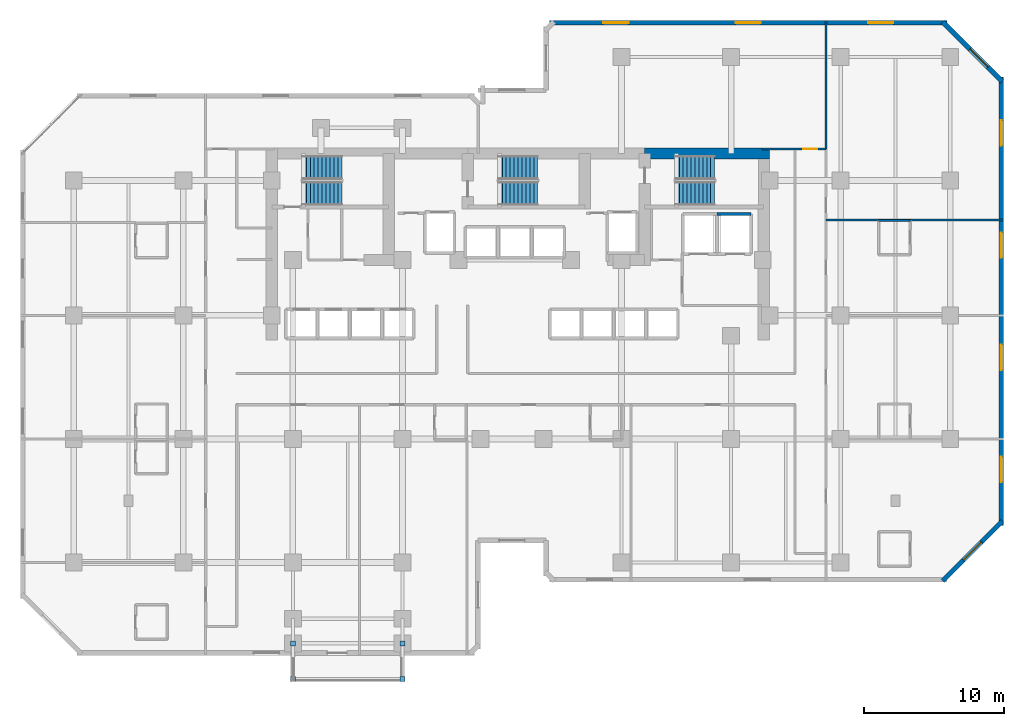
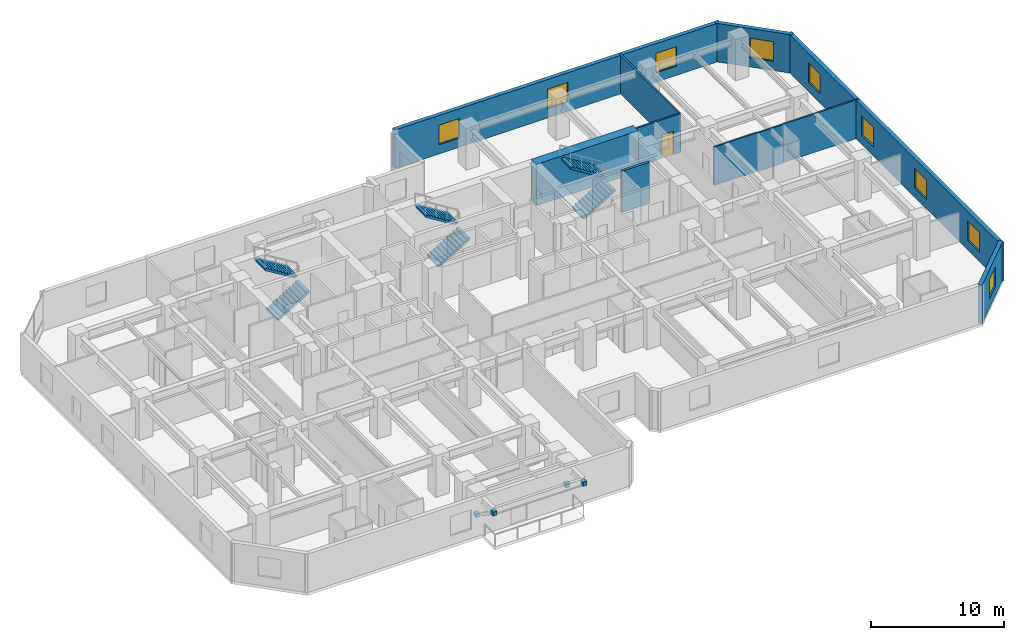
# One storey, part 10 of 12: 11 walls, 9 windows, 6 stair flights, 4 discrete accessories, 1 door, 10 openings, 3 elements without a shape of their own.
"""IFC4 building model written with IfcOpenShell, lengths in metres."""

from ifc_helpers import new_model, si_unit, direction, frame, frame_2d, origin, origin_2d, place, context, subcontext, project, spatial, polyline, rectangle, outline, extrude, material, layer, layer_set, type_object, element, fill, aggregate, save


model = new_model("IFC4")

# Units and contexts
model_context = context("Model", 3, precision=1e-05, world=origin(), true_north=direction((0.0, 1.0)))
body_context = subcontext(model_context, "Body", "Model", "MODEL_VIEW")
ifc_project = project(units=[si_unit("LENGTHUNIT", "METRE"), si_unit("AREAUNIT", "SQUARE_METRE"), si_unit("VOLUMEUNIT", "CUBIC_METRE"), si_unit("PLANEANGLEUNIT", "RADIAN"), si_unit("MASSUNIT", "GRAM", prefix="KILO")], contexts=[model_context])

# Site, building, storey
site_placement = place(None, origin())
site = spatial("IfcSite", under=ifc_project, at=site_placement, CompositionType="ELEMENT")
building_placement = place(site_placement, origin())
building = spatial("IfcBuilding", under=site, at=building_placement, Name="Kestravale Grand Hotel", CompositionType="ELEMENT")
storey_placement = place(building_placement, frame((0.0, 0.0, 99.39990234375)))
storey = spatial("IfcBuildingStorey", under=building, at=storey_placement, Name="L24", CompositionType="ELEMENT", Elevation=99.39990234375)

# Wall
ifc_material_1 = material(Name="Concrete f'c 60 MPa", Category="concrete")
ifc_layer_1 = layer(ifc_material_1, 0.800048828125)
ifc_layer_set_1 = layer_set([ifc_layer_1], Name="EW-CORE-800")
wall_type_1 = type_object("IfcWallType", Name="EW-CORE-800", PredefinedType="SHEAR", material=ifc_layer_set_1)
wall_1_placement = place(storey_placement, frame((48.449951171875, 40.320068359375, 0.0), z_axis=(0.0, 0.0, 1.0), x_axis=(1.0, 0.0, 0.0)))
element("IfcWall", 1, at=wall_1_placement, inside=storey, type_object=wall_type_1, Name="L24 core shear wall N3", PredefinedType="SHEAR", context=body_context, shape_type="SweptSolid", body=[
    extrude(rectangle(XDim=8.8701171875, YDim=0.800048828125, at=frame_2d((4.43505859375, 0.0))), origin(), (0.0, 0.0, 1.0), 3.800048828125),
])

# Wall, opening, window
ifc_material_2 = material(Name="Precast concrete f'c 45 MPa", Category="concrete")
ifc_layer_2 = layer(ifc_material_2, 0.340087890625)
ifc_layer_set_2 = layer_set([ifc_layer_2], Name="EW-PREC-340")
wall_type_2 = type_object("IfcWallType", Name="EW-PREC-340", PredefinedType="SOLIDWALL", material=ifc_layer_set_2)
wall_2_placement = place(storey_placement, frame((69.651611328125, 9.891845703125, 0.0), z_axis=(0.0, 0.0, 1.0), x_axis=(0.707106781187, 0.707106781187, 0.0)))
wall_2 = element("IfcWall", 2, at=wall_2_placement, inside=storey, type_object=wall_type_2, Name="L24 fluted precast facade wall 8", PredefinedType="SOLIDWALL", context=body_context, shape_type="SweptSolid", body=[
    extrude(rectangle(XDim=6.019775390625, YDim=0.340087890625, at=frame_2d((3.009765625, 0.0))), origin(), (0.0, 0.0, 1.0), 3.5400390625),
])
opening_1_placement = place(wall_2_placement, frame((2.10986328125, 0.0, 0.85009765625)))
opening_1 = element("IfcOpeningElement", 3, at=opening_1_placement, cuts=wall_2, Name="Opening W-GUEST-1800", PredefinedType="OPENING", context=body_context, shape_type="SweptSolid", body=[
    extrude(rectangle(XDim=1.800048828125, YDim=1.800048828125, at=frame_2d((0.89990234375, 0.89990234375))), frame((0.0, 0.179931640625, 0.0), z_axis=(0.0, -1.0, 0.0), x_axis=(1.0, 0.0, 0.0)), (0.0, 0.0, 1.0), 0.360107421875),
])
ifc_material_3 = material(Name="Insulated low-E double glazing in aluminium frame", Category="aluminium")
window_type = type_object("IfcWindowType", Name="W-GUEST-1800", PartitioningType="DOUBLE_PANEL_VERTICAL", PredefinedType="WINDOW", material=ifc_material_3)
window_1_placement = place(opening_1_placement, origin())
window_1 = element("IfcWindow", 4, at=window_1_placement, inside=storey, type_object=window_type, Name="L24 exterior window 8.1", OverallHeight=1.800048828125, OverallWidth=1.800048828125, PartitioningType="SINGLE_PANEL", PredefinedType="WINDOW", context=body_context, shape_type="SweptSolid", body=[
    extrude(rectangle(XDim=1.800048828125, YDim=1.800048828125, at=frame_2d((0.89990234375, 0.89990234375))), frame((0.0, 0.030029296875, 0.0), z_axis=(0.0, -1.0, 0.0), x_axis=(1.0, 0.0, 0.0)), (0.0, 0.0, 1.0), 0.06005859375),
])
fill(opening_1, window_1)

# Wall, openings, windows
wall_3_placement = place(storey_placement, frame((73.830078125, 13.830078125, 0.0), z_axis=(0.0, 0.0, 1.0), x_axis=(0.0, 1.0, 0.0)))
wall_3 = element("IfcWall", 5, at=wall_3_placement, inside=storey, type_object=wall_type_2, Name="L24 fluted precast facade wall 9", PredefinedType="SOLIDWALL", context=body_context, shape_type="SweptSolid", body=[
    extrude(rectangle(XDim=31.93994140625, YDim=0.340087890625, at=frame_2d((15.969970703125, 0.0))), origin(), (0.0, 0.0, 1.0), 3.5400390625),
])
opening_2_placement = place(wall_3_placement, frame((3.092529296875, 0.0, 0.85009765625)))
opening_2 = element("IfcOpeningElement", 6, at=opening_2_placement, cuts=wall_3, Name="Opening W-GUEST-1800", PredefinedType="OPENING", context=body_context, shape_type="SweptSolid", body=[
    extrude(rectangle(XDim=1.800048828125, YDim=1.800048828125, at=frame_2d((0.89990234375, 0.89990234375))), frame((0.0, 0.179931640625, 0.0), z_axis=(0.0, -1.0, 0.0), x_axis=(1.0, 0.0, 0.0)), (0.0, 0.0, 1.0), 0.360107421875),
])
opening_3_placement = place(wall_3_placement, frame((11.077392578125, 0.0, 0.85009765625)))
opening_3 = element("IfcOpeningElement", 7, at=opening_3_placement, cuts=wall_3, Name="Opening W-GUEST-1800", PredefinedType="OPENING", context=body_context, shape_type="SweptSolid", body=[
    extrude(rectangle(XDim=1.800048828125, YDim=1.800048828125, at=frame_2d((0.89990234375, 0.89990234375))), frame((0.0, 0.179931640625, 0.0), z_axis=(0.0, -1.0, 0.0), x_axis=(1.0, 0.0, 0.0)), (0.0, 0.0, 1.0), 0.360107421875),
])
opening_4_placement = place(wall_3_placement, frame((19.0625, 0.0, 0.85009765625)))
opening_4 = element("IfcOpeningElement", 8, at=opening_4_placement, cuts=wall_3, Name="Opening W-GUEST-1800", PredefinedType="OPENING", context=body_context, shape_type="SweptSolid", body=[
    extrude(rectangle(XDim=1.800048828125, YDim=1.800048828125, at=frame_2d((0.89990234375, 0.89990234375))), frame((0.0, 0.179931640625, 0.0), z_axis=(0.0, -1.0, 0.0), x_axis=(1.0, 0.0, 0.0)), (0.0, 0.0, 1.0), 0.360107421875),
])
opening_5_placement = place(wall_3_placement, frame((27.047607421875, 0.0, 0.85009765625)))
opening_5 = element("IfcOpeningElement", 9, at=opening_5_placement, cuts=wall_3, Name="Opening W-GUEST-1800", PredefinedType="OPENING", context=body_context, shape_type="SweptSolid", body=[
    extrude(rectangle(XDim=1.800048828125, YDim=1.800048828125, at=frame_2d((0.89990234375, 0.89990234375))), frame((0.0, 0.179931640625, 0.0), z_axis=(0.0, -1.0, 0.0), x_axis=(1.0, 0.0, 0.0)), (0.0, 0.0, 1.0), 0.360107421875),
])
window_2_placement = place(opening_2_placement, origin())
window_2 = element("IfcWindow", 10, at=window_2_placement, inside=storey, type_object=window_type, Name="L24 exterior window 9.1", OverallHeight=1.800048828125, OverallWidth=1.800048828125, PartitioningType="SINGLE_PANEL", PredefinedType="WINDOW", context=body_context, shape_type="SweptSolid", body=[
    extrude(rectangle(XDim=1.800048828125, YDim=1.800048828125, at=frame_2d((0.89990234375, 0.89990234375))), frame((0.0, 0.030029296875, 0.0), z_axis=(0.0, -1.0, 0.0), x_axis=(1.0, 0.0, 0.0)), (0.0, 0.0, 1.0), 0.06005859375),
])
fill(opening_2, window_2)
window_3_placement = place(opening_3_placement, origin())
window_3 = element("IfcWindow", 11, at=window_3_placement, inside=storey, type_object=window_type, Name="L24 exterior window 9.2", OverallHeight=1.800048828125, OverallWidth=1.800048828125, PartitioningType="SINGLE_PANEL", PredefinedType="WINDOW", context=body_context, shape_type="SweptSolid", body=[
    extrude(rectangle(XDim=1.800048828125, YDim=1.800048828125, at=frame_2d((0.89990234375, 0.89990234375))), frame((0.0, 0.030029296875, 0.0), z_axis=(0.0, -1.0, 0.0), x_axis=(1.0, 0.0, 0.0)), (0.0, 0.0, 1.0), 0.06005859375),
])
fill(opening_3, window_3)
window_4_placement = place(opening_4_placement, origin())
window_4 = element("IfcWindow", 12, at=window_4_placement, inside=storey, type_object=window_type, Name="L24 exterior window 9.3", OverallHeight=1.800048828125, OverallWidth=1.800048828125, PartitioningType="SINGLE_PANEL", PredefinedType="WINDOW", context=body_context, shape_type="SweptSolid", body=[
    extrude(rectangle(XDim=1.800048828125, YDim=1.800048828125, at=frame_2d((0.89990234375, 0.89990234375))), frame((0.0, 0.030029296875, 0.0), z_axis=(0.0, -1.0, 0.0), x_axis=(1.0, 0.0, 0.0)), (0.0, 0.0, 1.0), 0.06005859375),
])
fill(opening_4, window_4)
window_5_placement = place(opening_5_placement, origin())
window_5 = element("IfcWindow", 13, at=window_5_placement, inside=storey, type_object=window_type, Name="L24 exterior window 9.4", OverallHeight=1.800048828125, OverallWidth=1.800048828125, PartitioningType="SINGLE_PANEL", PredefinedType="WINDOW", context=body_context, shape_type="SweptSolid", body=[
    extrude(rectangle(XDim=1.800048828125, YDim=1.800048828125, at=frame_2d((0.89990234375, 0.89990234375))), frame((0.0, 0.030029296875, 0.0), z_axis=(0.0, -1.0, 0.0), x_axis=(1.0, 0.0, 0.0)), (0.0, 0.0, 1.0), 0.06005859375),
])
fill(opening_5, window_5)

# Wall, opening, window
wall_4_placement = place(storey_placement, frame((73.908203125, 45.451416015625, 0.0), z_axis=(0.0, 0.0, 1.0), x_axis=(-0.707106781187, 0.707106781187, 0.0)))
wall_4 = element("IfcWall", 14, at=wall_4_placement, inside=storey, type_object=wall_type_2, Name="L24 fluted precast facade wall 10", PredefinedType="SOLIDWALL", context=body_context, shape_type="SweptSolid", body=[
    extrude(rectangle(XDim=6.019775390625, YDim=0.340087890625, at=frame_2d((3.009765625, 0.0))), origin(), (0.0, 0.0, 1.0), 3.5400390625),
])
opening_6_placement = place(wall_4_placement, frame((1.4599609375, 0.0, 0.85009765625)))
opening_6 = element("IfcOpeningElement", 15, at=opening_6_placement, cuts=wall_4, Name="Opening W-GUEST-1800", PredefinedType="OPENING", context=body_context, shape_type="SweptSolid", body=[
    extrude(rectangle(XDim=1.800048828125, YDim=1.800048828125, at=frame_2d((0.89990234375, 0.89990234375))), frame((0.0, 0.179931640625, 0.0), z_axis=(0.0, -1.0, 0.0), x_axis=(1.0, 0.0, 0.0)), (0.0, 0.0, 1.0), 0.360107421875),
])
window_6_placement = place(opening_6_placement, origin())
window_6 = element("IfcWindow", 16, at=window_6_placement, inside=storey, type_object=window_type, Name="L24 exterior window 10.1", OverallHeight=1.800048828125, OverallWidth=1.800048828125, PartitioningType="SINGLE_PANEL", PredefinedType="WINDOW", context=body_context, shape_type="SweptSolid", body=[
    extrude(rectangle(XDim=1.800048828125, YDim=1.800048828125, at=frame_2d((0.89990234375, 0.89990234375))), frame((0.0, 0.030029296875, 0.0), z_axis=(0.0, -1.0, 0.0), x_axis=(1.0, 0.0, 0.0)), (0.0, 0.0, 1.0), 0.06005859375),
])
fill(opening_6, window_6)

# Wall, openings, windows
wall_5_placement = place(storey_placement, frame((69.969970703125, 49.6298828125, 0.0), z_axis=(0.0, 0.0, 1.0), x_axis=(-1.0, 0.0, 0.0)))
wall_5 = element("IfcWall", 17, at=wall_5_placement, inside=storey, type_object=wall_type_2, Name="L24 fluted precast facade wall 11", PredefinedType="SOLIDWALL", context=body_context, shape_type="SweptSolid", body=[
    extrude(rectangle(XDim=28.2900390625, YDim=0.340087890625, at=frame_2d((14.14501953125, 0.0))), origin(), (0.0, 0.0, 1.0), 3.5400390625),
])
opening_7_placement = place(wall_5_placement, frame((3.81494140625, 0.0, 0.85009765625)))
opening_7 = element("IfcOpeningElement", 18, at=opening_7_placement, cuts=wall_5, Name="Opening W-GUEST-1800", PredefinedType="OPENING", context=body_context, shape_type="SweptSolid", body=[
    extrude(rectangle(XDim=1.800048828125, YDim=1.800048828125, at=frame_2d((0.89990234375, 0.89990234375))), frame((0.0, 0.179931640625, 0.0), z_axis=(0.0, -1.0, 0.0), x_axis=(1.0, 0.0, 0.0)), (0.0, 0.0, 1.0), 0.360107421875),
])
opening_8_placement = place(wall_5_placement, frame((13.2451171875, 0.0, 0.85009765625)))
opening_8 = element("IfcOpeningElement", 19, at=opening_8_placement, cuts=wall_5, Name="Opening W-GUEST-1800", PredefinedType="OPENING", context=body_context, shape_type="SweptSolid", body=[
    extrude(rectangle(XDim=1.800048828125, YDim=1.800048828125, at=frame_2d((0.89990234375, 0.89990234375))), frame((0.0, 0.179931640625, 0.0), z_axis=(0.0, -1.0, 0.0), x_axis=(1.0, 0.0, 0.0)), (0.0, 0.0, 1.0), 0.360107421875),
])
opening_9_placement = place(wall_5_placement, frame((22.675048828125, 0.0, 0.85009765625)))
opening_9 = element("IfcOpeningElement", 20, at=opening_9_placement, cuts=wall_5, Name="Opening W-GUEST-1800", PredefinedType="OPENING", context=body_context, shape_type="SweptSolid", body=[
    extrude(rectangle(XDim=1.800048828125, YDim=1.800048828125, at=frame_2d((0.89990234375, 0.89990234375))), frame((0.0, 0.179931640625, 0.0), z_axis=(0.0, -1.0, 0.0), x_axis=(1.0, 0.0, 0.0)), (0.0, 0.0, 1.0), 0.360107421875),
])
window_7_placement = place(opening_7_placement, origin())
window_7 = element("IfcWindow", 21, at=window_7_placement, inside=storey, type_object=window_type, Name="L24 exterior window 11.1", OverallHeight=1.800048828125, OverallWidth=1.800048828125, PartitioningType="SINGLE_PANEL", PredefinedType="WINDOW", context=body_context, shape_type="SweptSolid", body=[
    extrude(rectangle(XDim=1.800048828125, YDim=1.800048828125, at=frame_2d((0.89990234375, 0.89990234375))), frame((0.0, 0.030029296875, 0.0), z_axis=(0.0, -1.0, 0.0), x_axis=(1.0, 0.0, 0.0)), (0.0, 0.0, 1.0), 0.06005859375),
])
fill(opening_7, window_7)
window_8_placement = place(opening_8_placement, origin())
window_8 = element("IfcWindow", 22, at=window_8_placement, inside=storey, type_object=window_type, Name="L24 exterior window 11.2", OverallHeight=1.800048828125, OverallWidth=1.800048828125, PartitioningType="SINGLE_PANEL", PredefinedType="WINDOW", context=body_context, shape_type="SweptSolid", body=[
    extrude(rectangle(XDim=1.800048828125, YDim=1.800048828125, at=frame_2d((0.89990234375, 0.89990234375))), frame((0.0, 0.030029296875, 0.0), z_axis=(0.0, -1.0, 0.0), x_axis=(1.0, 0.0, 0.0)), (0.0, 0.0, 1.0), 0.06005859375),
])
fill(opening_8, window_8)
window_9_placement = place(opening_9_placement, origin())
window_9 = element("IfcWindow", 23, at=window_9_placement, inside=storey, type_object=window_type, Name="L24 exterior window 11.3", OverallHeight=1.800048828125, OverallWidth=1.800048828125, PartitioningType="SINGLE_PANEL", PredefinedType="WINDOW", context=body_context, shape_type="SweptSolid", body=[
    extrude(rectangle(XDim=1.800048828125, YDim=1.800048828125, at=frame_2d((0.89990234375, 0.89990234375))), frame((0.0, 0.030029296875, 0.0), z_axis=(0.0, -1.0, 0.0), x_axis=(1.0, 0.0, 0.0)), (0.0, 0.0, 1.0), 0.06005859375),
])
fill(opening_9, window_9)

# Walls
ifc_material_4 = material(Name="Moisture-resistant tile-backer plumbing chase wall", Category="other")
ifc_layer_3 = layer(ifc_material_4, 0.139892578125)
ifc_layer_set_3 = layer_set([ifc_layer_3], Name="IW-PLB-140")
wall_type_3 = type_object("IfcWallType", Name="IW-PLB-140", PredefinedType="PLUMBINGWALL", material=ifc_layer_set_3)
wall_6_placement = place(storey_placement, frame((65.10009765625, 35.56005859375, 0.0), z_axis=(0.0, 0.0, 1.0), x_axis=(1.0, 0.0, 0.0)))
element("IfcWall", 24, at=wall_6_placement, inside=storey, type_object=wall_type_3, Name="W-L24-U09-BN", PredefinedType="PLUMBINGWALL", context=body_context, shape_type="SweptSolid", body=[
    extrude(rectangle(XDim=2.25, YDim=0.139892578125, at=frame_2d((1.125, 0.0))), origin(), (0.0, 0.0, 1.0), 3.5400390625),
])
ifc_material_5 = material(Name="Concrete f'c 45 MPa", Category="concrete")
ifc_layer_4 = layer(ifc_material_5, 0.219970703125)
ifc_layer_set_4 = layer_set([ifc_layer_4], Name="IW-SHAFT-220")
wall_type_4 = type_object("IfcWallType", Name="IW-SHAFT-220", PredefinedType="SHEAR", material=ifc_layer_set_4)
wall_7_placement = place(storey_placement, frame((53.60009765625, 36.030029296875, 0.0), z_axis=(0.0, 0.0, 1.0), x_axis=(1.0, 0.0, 0.0)))
element("IfcWall", 25, at=wall_7_placement, inside=storey, type_object=wall_type_4, Name="L24 SL-2 north shaft wall", PredefinedType="SHEAR", context=body_context, shape_type="SweptSolid", body=[
    extrude(rectangle(XDim=2.419921875, YDim=0.219970703125, at=frame_2d((1.2099609375, 0.0))), origin(), (0.0, 0.0, 1.0), 3.800048828125),
])

# Wall, opening, door
ifc_material_6 = material(Name="Double-stud STC 52 acoustic demising partition", Category="other")
ifc_layer_5 = layer(ifc_material_6, 0.14990234375)
ifc_layer_set_5 = layer_set([ifc_layer_5], Name="IW-UNIT-150")
wall_type_5 = type_object("IfcWallType", Name="IW-UNIT-150", PredefinedType="PARTITIONING", material=ifc_layer_set_5)
wall_8_placement = place(storey_placement, frame((56.800048828125, 40.64990234375, 0.0), z_axis=(0.0, 0.0, 1.0), x_axis=(1.0, 0.0, 0.0)))
wall_8 = element("IfcWall", 26, at=wall_8_placement, inside=storey, type_object=wall_type_5, Name="W-L24-SE-N", PredefinedType="PARTITIONING", context=body_context, shape_type="SweptSolid", body=[
    extrude(rectangle(XDim=4.56005859375, YDim=0.14990234375, at=frame_2d((2.280029296875, 0.0))), origin(), (0.0, 0.0, 1.0), 3.5400390625),
])
opening_10_placement = place(wall_8_placement, frame((2.949951171875, 0.0, 0.0)))
opening_10 = element("IfcOpeningElement", 27, at=opening_10_placement, cuts=wall_8, Name="Opening D-GUEST-1000", PredefinedType="OPENING", context=body_context, shape_type="SweptSolid", body=[
    extrude(rectangle(XDim=1.0, YDim=2.14990234375, at=frame_2d((0.5, 1.074951171875))), frame((0.0, 0.0849609375, 0.0), z_axis=(0.0, -1.0, 0.0), x_axis=(1.0, 0.0, 0.0)), (0.0, 0.0, 1.0), 0.169921875),
])
ifc_material_7 = material(Name="Accessible walnut veneer hotel entrance fire door", Category="wood")
door_type = type_object("IfcDoorType", Name="D-GUEST-1000", OperationType="NOTDEFINED", PredefinedType="DOOR", material=ifc_material_7)
door_placement = place(opening_10_placement, origin())
door = element("IfcDoor", 28, at=door_placement, inside=storey, type_object=door_type, Name="L24 NE Gallery Door", OperationType="SINGLE_SWING_LEFT", OverallHeight=2.14990234375, OverallWidth=1.0, PredefinedType="DOOR", context=body_context, shape_type="SweptSolid", body=[
    extrude(rectangle(XDim=1.0, YDim=2.14990234375, at=frame_2d((0.5, 1.074951171875))), frame((0.0, 0.02490234375, 0.0), z_axis=(0.0, -1.0, 0.0), x_axis=(1.0, 0.0, 0.0)), (0.0, 0.0, 1.0), 0.050048828125),
])
fill(opening_10, door)

# Walls
wall_9_placement = place(storey_placement, frame((61.360107421875, 40.64990234375, 0.0), z_axis=(0.0, 0.0, 1.0), x_axis=(0.0, 1.0, 0.0)))
element("IfcWall", 29, at=wall_9_placement, inside=storey, type_object=wall_type_5, Name="W-L24-NGE-E", PredefinedType="PARTITIONING", context=body_context, shape_type="SweptSolid", body=[
    extrude(rectangle(XDim=9.130126953125, YDim=0.14990234375, at=frame_2d((4.56494140625, 0.0))), origin(), (0.0, 0.0, 1.0), 3.5400390625),
])
wall_10_placement = place(storey_placement, frame((61.360107421875, 35.60009765625, 0.0), z_axis=(0.0, 0.0, 1.0), x_axis=(1.0, 0.0, 0.0)))
element("IfcWall", 30, at=wall_10_placement, inside=storey, type_object=wall_type_5, Name="W-L24-EW-3", PredefinedType="PARTITIONING", context=body_context, shape_type="SweptSolid", body=[
    extrude(rectangle(XDim=3.739990234375, YDim=0.14990234375, at=frame_2d((1.8701171875, 0.0))), origin(), (0.0, 0.0, 1.0), 3.5400390625),
])
wall_11_placement = place(storey_placement, frame((67.35009765625, 35.60009765625, 0.0), z_axis=(0.0, 0.0, 1.0), x_axis=(1.0, 0.0, 0.0)))
element("IfcWall", 31, at=wall_11_placement, inside=storey, type_object=wall_type_5, Name="W-L24-EW-3", PredefinedType="PARTITIONING", context=body_context, shape_type="SweptSolid", body=[
    extrude(rectangle(XDim=6.6298828125, YDim=0.14990234375, at=frame_2d((3.31494140625, 0.0))), origin(), (0.0, 0.0, 1.0), 3.5400390625),
])

# Stair, stair flights
ifc_material_8 = material(Name="Concrete f'c 45 MPa", Category="concrete")
stair_type = type_object("IfcStairType", Name="ST-CORE-380", PredefinedType="HALF_TURN_STAIR", material=ifc_material_8)
stair_1_placement = place(storey_placement, origin())
stair_1 = element("IfcStair", 32, at=stair_1_placement, inside=storey, type_object=stair_type, Name="L24 ST-1", PredefinedType="HALF_TURN_STAIR")
ifc_material_9 = material(Name="Concrete f'c 45 MPa", Category="concrete")
stair_flight_type = type_object("IfcStairFlightType", Name="STF-CORE-380", PredefinedType="STRAIGHT", material=ifc_material_9)
stair_flight_1_placement = place(storey_placement, frame((24.080078125, 37.489990234375, 0.0), z_axis=(0.0, 0.0, 1.0), x_axis=(1.0, 0.0, 0.0)))
stair_flight_1 = element("IfcStairFlight", 33, at=stair_flight_1_placement, type_object=stair_flight_type, Name="ST-1 flight 1", NumberOfRisers=11, NumberOfTreads=10, PredefinedType="STRAIGHT", RiserHeight=0.172727273, TreadLength=0.28, context=body_context, shape_type="SweptSolid", body=[
    extrude(outline(polyline([(0.0, 0.0), (0.0, 0.172607421875), (0.280029296875, 0.172607421875), (0.280029296875, 0.345458984375), (0.56005859375, 0.345458984375), (0.56005859375, 0.51806640625), (0.840087890625, 0.51806640625), (0.840087890625, 0.69091796875), (1.1201171875, 0.69091796875), (1.1201171875, 0.863525390625), (1.39990234375, 0.863525390625), (1.39990234375, 1.036376953125), (1.679931640625, 1.036376953125), (1.679931640625, 1.208984375), (1.9599609375, 1.208984375), (1.9599609375, 1.3818359375), (2.239990234375, 1.3818359375), (2.239990234375, 1.554443359375), (2.52001953125, 1.554443359375), (2.52001953125, 1.727294921875), (2.800048828125, 1.727294921875), (2.800048828125, 1.89990234375), (2.800048828125, 1.551025390625), (0.285400390625, 0.0), (0.0, 0.0)])), frame((0.0, 0.83984375, 0.0), z_axis=(0.0, -1.0, 0.0), x_axis=(1.0, 0.0, 0.0)), (0.0, 0.0, 1.0), 1.679931640625),
])
stair_flight_2_placement = place(storey_placement, frame((26.8798828125, 39.320068359375, 1.900146484375), z_axis=(0.0, 0.0, 1.0), x_axis=(-1.0, 0.0, 0.0)))
stair_flight_2 = element("IfcStairFlight", 34, at=stair_flight_2_placement, type_object=stair_flight_type, Name="ST-1 flight 2", NumberOfRisers=11, NumberOfTreads=10, PredefinedType="STRAIGHT", RiserHeight=0.172727273, TreadLength=0.28, context=body_context, shape_type="SweptSolid", body=[
    extrude(outline(polyline([(0.0, 0.0), (0.0, 0.172607421875), (0.280029296875, 0.172607421875), (0.280029296875, 0.345458984375), (0.56005859375, 0.345458984375), (0.56005859375, 0.51806640625), (0.840087890625, 0.51806640625), (0.840087890625, 0.69091796875), (1.1201171875, 0.69091796875), (1.1201171875, 0.863525390625), (1.39990234375, 0.863525390625), (1.39990234375, 1.036376953125), (1.679931640625, 1.036376953125), (1.679931640625, 1.208984375), (1.9599609375, 1.208984375), (1.9599609375, 1.3818359375), (2.239990234375, 1.3818359375), (2.239990234375, 1.554443359375), (2.52001953125, 1.554443359375), (2.52001953125, 1.727294921875), (2.800048828125, 1.727294921875), (2.800048828125, 1.89990234375), (2.800048828125, 1.551025390625), (0.285400390625, 0.0), (0.0, 0.0)])), frame((0.0, 0.83984375, 0.0), z_axis=(0.0, -1.0, 0.0), x_axis=(1.0, 0.0, 0.0)), (0.0, 0.0, 1.0), 1.679931640625),
])
aggregate(stair_1, [stair_flight_1, stair_flight_2])

stair_2_placement = place(storey_placement, origin())
stair_2 = element("IfcStair", 35, at=stair_2_placement, inside=storey, type_object=stair_type, Name="L24 ST-2", PredefinedType="HALF_TURN_STAIR")
stair_flight_3_placement = place(storey_placement, frame((38.030029296875, 37.489990234375, 0.0), z_axis=(0.0, 0.0, 1.0), x_axis=(1.0, 0.0, 0.0)))
stair_flight_3 = element("IfcStairFlight", 36, at=stair_flight_3_placement, type_object=stair_flight_type, Name="ST-2 flight 1", NumberOfRisers=11, NumberOfTreads=10, PredefinedType="STRAIGHT", RiserHeight=0.172727273, TreadLength=0.28, context=body_context, shape_type="SweptSolid", body=[
    extrude(outline(polyline([(0.0, 0.0), (0.0, 0.172607421875), (0.280029296875, 0.172607421875), (0.280029296875, 0.345458984375), (0.56005859375, 0.345458984375), (0.56005859375, 0.51806640625), (0.840087890625, 0.51806640625), (0.840087890625, 0.69091796875), (1.1201171875, 0.69091796875), (1.1201171875, 0.863525390625), (1.39990234375, 0.863525390625), (1.39990234375, 1.036376953125), (1.679931640625, 1.036376953125), (1.679931640625, 1.208984375), (1.9599609375, 1.208984375), (1.9599609375, 1.3818359375), (2.239990234375, 1.3818359375), (2.239990234375, 1.554443359375), (2.52001953125, 1.554443359375), (2.52001953125, 1.727294921875), (2.800048828125, 1.727294921875), (2.800048828125, 1.89990234375), (2.800048828125, 1.551025390625), (0.285400390625, 0.0), (0.0, 0.0)])), frame((0.0, 0.83984375, 0.0), z_axis=(0.0, -1.0, 0.0), x_axis=(1.0, 0.0, 0.0)), (0.0, 0.0, 1.0), 1.679931640625),
])
stair_flight_4_placement = place(storey_placement, frame((40.830078125, 39.320068359375, 1.900146484375), z_axis=(0.0, 0.0, 1.0), x_axis=(-1.0, 0.0, 0.0)))
stair_flight_4 = element("IfcStairFlight", 37, at=stair_flight_4_placement, type_object=stair_flight_type, Name="ST-2 flight 2", NumberOfRisers=11, NumberOfTreads=10, PredefinedType="STRAIGHT", RiserHeight=0.172727273, TreadLength=0.28, context=body_context, shape_type="SweptSolid", body=[
    extrude(outline(polyline([(0.0, 0.0), (0.0, 0.172607421875), (0.280029296875, 0.172607421875), (0.280029296875, 0.345458984375), (0.56005859375, 0.345458984375), (0.56005859375, 0.51806640625), (0.840087890625, 0.51806640625), (0.840087890625, 0.69091796875), (1.1201171875, 0.69091796875), (1.1201171875, 0.863525390625), (1.39990234375, 0.863525390625), (1.39990234375, 1.036376953125), (1.679931640625, 1.036376953125), (1.679931640625, 1.208984375), (1.9599609375, 1.208984375), (1.9599609375, 1.3818359375), (2.239990234375, 1.3818359375), (2.239990234375, 1.554443359375), (2.52001953125, 1.554443359375), (2.52001953125, 1.727294921875), (2.800048828125, 1.727294921875), (2.800048828125, 1.89990234375), (2.800048828125, 1.551025390625), (0.285400390625, 0.0), (0.0, 0.0)])), frame((0.0, 0.83984375, 0.0), z_axis=(0.0, -1.0, 0.0), x_axis=(1.0, 0.0, 0.0)), (0.0, 0.0, 1.0), 1.679931640625),
])
aggregate(stair_2, [stair_flight_3, stair_flight_4])

stair_3_placement = place(storey_placement, origin())
stair_3 = element("IfcStair", 38, at=stair_3_placement, inside=storey, type_object=stair_type, Name="L24 ST-3", PredefinedType="HALF_TURN_STAIR")
stair_flight_5_placement = place(storey_placement, frame((50.6298828125, 37.489990234375, 0.0), z_axis=(0.0, 0.0, 1.0), x_axis=(1.0, 0.0, 0.0)))
stair_flight_5 = element("IfcStairFlight", 39, at=stair_flight_5_placement, type_object=stair_flight_type, Name="ST-3 flight 1", NumberOfRisers=11, NumberOfTreads=10, PredefinedType="STRAIGHT", RiserHeight=0.172727273, TreadLength=0.28, context=body_context, shape_type="SweptSolid", body=[
    extrude(outline(polyline([(0.0, 0.0), (0.0, 0.172607421875), (0.280029296875, 0.172607421875), (0.280029296875, 0.345458984375), (0.56005859375, 0.345458984375), (0.56005859375, 0.51806640625), (0.840087890625, 0.51806640625), (0.840087890625, 0.69091796875), (1.1201171875, 0.69091796875), (1.1201171875, 0.863525390625), (1.39990234375, 0.863525390625), (1.39990234375, 1.036376953125), (1.679931640625, 1.036376953125), (1.679931640625, 1.208984375), (1.9599609375, 1.208984375), (1.9599609375, 1.3818359375), (2.239990234375, 1.3818359375), (2.239990234375, 1.554443359375), (2.52001953125, 1.554443359375), (2.52001953125, 1.727294921875), (2.800048828125, 1.727294921875), (2.800048828125, 1.89990234375), (2.800048828125, 1.551025390625), (0.285400390625, 0.0), (0.0, 0.0)])), frame((0.0, 0.83984375, 0.0), z_axis=(0.0, -1.0, 0.0), x_axis=(1.0, 0.0, 0.0)), (0.0, 0.0, 1.0), 1.679931640625),
])
stair_flight_6_placement = place(storey_placement, frame((53.429931640625, 39.320068359375, 1.900146484375), z_axis=(0.0, 0.0, 1.0), x_axis=(-1.0, 0.0, 0.0)))
stair_flight_6 = element("IfcStairFlight", 40, at=stair_flight_6_placement, type_object=stair_flight_type, Name="ST-3 flight 2", NumberOfRisers=11, NumberOfTreads=10, PredefinedType="STRAIGHT", RiserHeight=0.172727273, TreadLength=0.28, context=body_context, shape_type="SweptSolid", body=[
    extrude(outline(polyline([(0.0, 0.0), (0.0, 0.172607421875), (0.280029296875, 0.172607421875), (0.280029296875, 0.345458984375), (0.56005859375, 0.345458984375), (0.56005859375, 0.51806640625), (0.840087890625, 0.51806640625), (0.840087890625, 0.69091796875), (1.1201171875, 0.69091796875), (1.1201171875, 0.863525390625), (1.39990234375, 0.863525390625), (1.39990234375, 1.036376953125), (1.679931640625, 1.036376953125), (1.679931640625, 1.208984375), (1.9599609375, 1.208984375), (1.9599609375, 1.3818359375), (2.239990234375, 1.3818359375), (2.239990234375, 1.554443359375), (2.52001953125, 1.554443359375), (2.52001953125, 1.727294921875), (2.800048828125, 1.727294921875), (2.800048828125, 1.89990234375), (2.800048828125, 1.551025390625), (0.285400390625, 0.0), (0.0, 0.0)])), frame((0.0, 0.83984375, 0.0), z_axis=(0.0, -1.0, 0.0), x_axis=(1.0, 0.0, 0.0)), (0.0, 0.0, 1.0), 1.679931640625),
])
aggregate(stair_3, [stair_flight_5, stair_flight_6])

# Discrete accessories
ifc_material_10 = material(Name="Steel ASTM A572 Grade 50 hot-dip galvanised bracket", Category="steel")
discrete_accessory_type = type_object("IfcDiscreteAccessoryType", Name="ACC-BRK-STL", PredefinedType="BRACKET", material=ifc_material_10)
for number, where, z_axis, x_axis, name in (
    (41, (23.39990234375, 5.449951171875, 1.19384765625), (0.0, 0.0, 1.0), (1.0, 0.0, 0.0), "L25 terrace strut column bracket 1"),
    (42, (23.39990234375, 2.89990234375, 2.89404296875), (0.0, 0.0, 1.0), (1.0, 0.0, 0.0), "L25 terrace strut beam bracket 1"),
    (43, (31.199951171875, 5.449951171875, 1.19384765625), (0.0, 0.0, 1.0), (1.0, 0.0, 0.0), "L25 terrace strut column bracket 2"),
    (44, (31.199951171875, 2.89990234375, 2.89404296875), (0.0, 0.0, 1.0), (1.0, 0.0, 0.0), "L25 terrace strut beam bracket 2"),
):
    element("IfcDiscreteAccessory", number, at=place(storey_placement, frame(where, z_axis=z_axis, x_axis=x_axis)), inside=storey, type_object=discrete_accessory_type, Name=name, PredefinedType="BRACKET", context=body_context, shape_type="SweptSolid", body=[
        extrude(rectangle(XDim=0.360107421875, YDim=0.360107421875, at=origin_2d()), origin(), (0.0, 0.0, 1.0), 0.360107421875),
    ])

save(model, "model.ifc")
